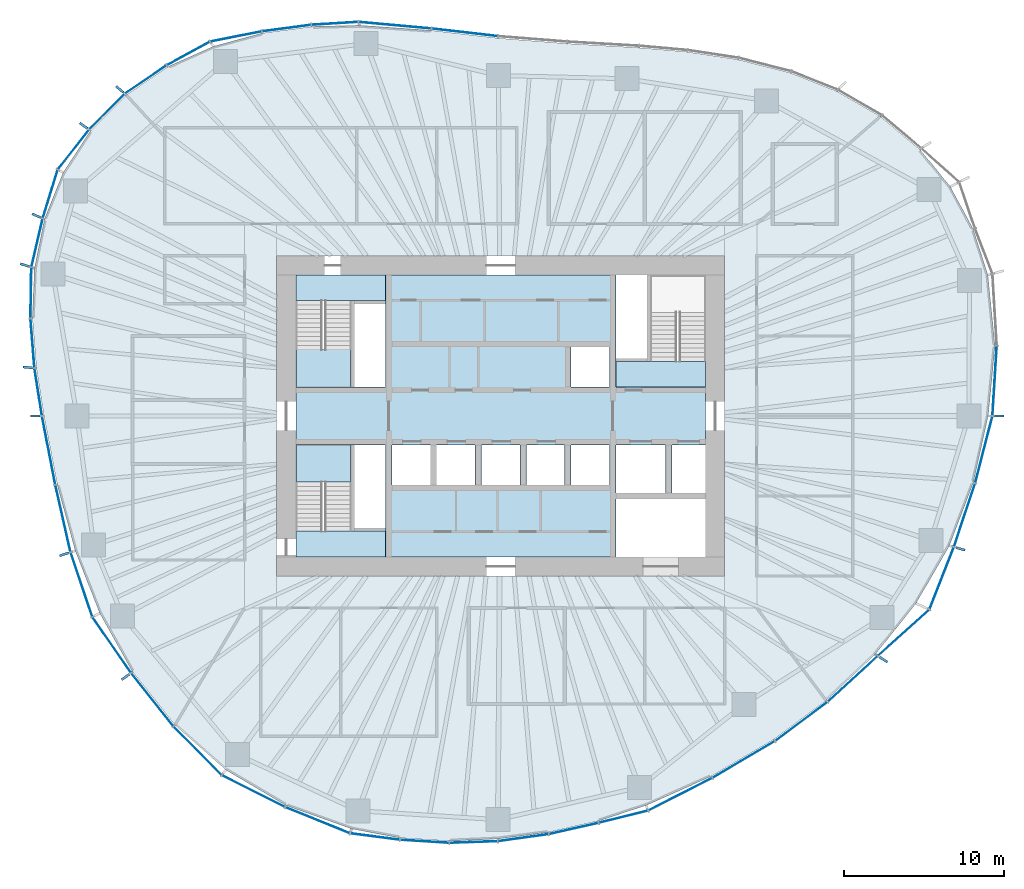
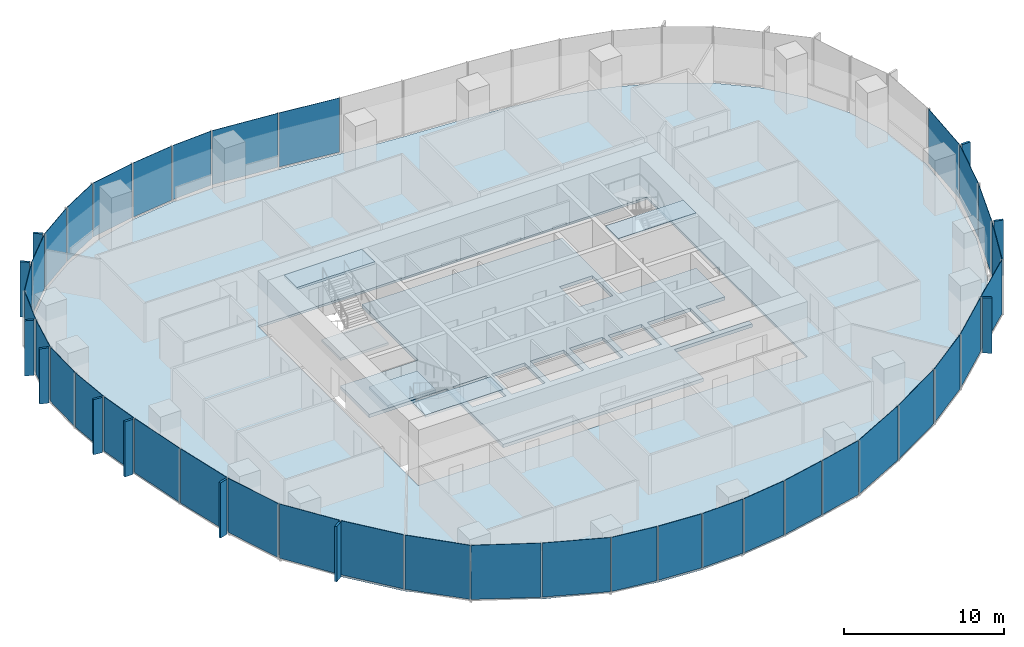
# One storey, part 7 of 18: 48 plates, 7 slabs, 19 elements without a shape of their own.
"""IFC4 building model written with IfcOpenShell, lengths in metres."""

from ifc_helpers import new_model, si_unit, direction, frame, origin, origin_2d, place, context, subcontext, project, spatial, polyline, rectangle, outline, extrude, material, layer, layer_set, type_object, element, aggregate, save


model = new_model("IFC4")

# Units and contexts
model_context = context("Model", 3, precision=1e-05, world=origin(), true_north=direction((0.0, 1.0)))
body_context = subcontext(model_context, "Body", "Model", "MODEL_VIEW")
ifc_project = project(units=[si_unit("LENGTHUNIT", "METRE"), si_unit("AREAUNIT", "SQUARE_METRE"), si_unit("VOLUMEUNIT", "CUBIC_METRE"), si_unit("PLANEANGLEUNIT", "RADIAN"), si_unit("MASSUNIT", "GRAM", prefix="KILO")], contexts=[model_context])

# Site, building, storey
site_placement = place(None, origin())
site = spatial("IfcSite", under=ifc_project, at=site_placement, CompositionType="ELEMENT")
building_placement = place(site_placement, origin())
building = spatial("IfcBuilding", under=site, at=building_placement, Name="Ghaith Harvest Tower", CompositionType="ELEMENT")
storey_placement = place(building_placement, frame((0.0, 0.0, 126.0)))
storey = spatial("IfcBuildingStorey", under=building, at=storey_placement, Name="L26", CompositionType="ELEMENT", Elevation=126.0)

# Curtain wall, plate
ifc_material_1 = material(Name="Black anodised aluminium and fritted glass", Category="aluminium")
curtain_wall_type = type_object("IfcCurtainWallType", Name="CW-L CURTAIN WALL", PredefinedType="NOTDEFINED", material=ifc_material_1)
curtain_wall_1_placement = place(storey_placement, origin())
curtain_wall_1 = element("IfcCurtainWall", 1, at=curtain_wall_1_placement, inside=storey, type_object=curtain_wall_type, Name="Curtain wall CW-L bay 01 L26", PredefinedType="NOTDEFINED")
ifc_material_2 = material(Name="Glass, dark solar-control fritted double glazed unit", Category="glass")
ifc_layer_1 = layer(ifc_material_2, 0.031982421875)
ifc_layer_set_1 = layer_set([ifc_layer_1], Name="CW-L VISION PANEL")
plate_type_1 = type_object("IfcPlateType", Name="CW-L VISION PANEL", PredefinedType="CURTAIN_PANEL", material=ifc_layer_set_1)
plate_1_placement = place(storey_placement, frame((30.86376953125, 2.19482421875, 0.079833984375), z_axis=(0.0, 0.0, 1.0), x_axis=(0.061379619468, 0.99811449359, 0.0)))
plate_1 = element("IfcPlate", 2, at=plate_1_placement, type_object=plate_type_1, Name="CW-L glass unit 1 bay 01 L26", PredefinedType="CURTAIN_PANEL", context=body_context, shape_type="SweptSolid", body=[
    extrude(rectangle(XDim=4.318115234375, YDim=0.031982421875, at=origin_2d()), origin(), (0.0, 0.0, 1.0), 4.1201171875),
])
aggregate(curtain_wall_1, [plate_1])

# Curtain wall, plates
curtain_wall_2_placement = place(storey_placement, origin())
curtain_wall_2 = element("IfcCurtainWall", 3, at=curtain_wall_2_placement, inside=storey, type_object=curtain_wall_type, Name="Curtain wall CW-L bay 06 L26", PredefinedType="NOTDEFINED")
plate_2_placement = place(storey_placement, frame((-2.24267578125, 23.968505859375, 0.079833984375), z_axis=(0.0, 0.0, 1.0), x_axis=(-0.993477024646, 0.114032458099, 0.0)))
plate_2 = element("IfcPlate", 4, at=plate_2_placement, type_object=plate_type_1, Name="CW-L glass unit 1 bay 06 L26", PredefinedType="CURTAIN_PANEL", context=body_context, shape_type="SweptSolid", body=[
    extrude(rectangle(XDim=4.10791015625, YDim=0.031982421875, at=origin_2d()), origin(), (0.0, 0.0, 1.0), 4.1201171875),
])
plate_3_placement = place(storey_placement, frame((-6.607666015625, 24.4140625, 0.079833984375), z_axis=(0.0, 0.0, 1.0), x_axis=(-0.995928776302, 0.090143621701, 0.0)))
plate_3 = element("IfcPlate", 5, at=plate_3_placement, type_object=plate_type_1, Name="CW-L glass unit 2 bay 06 L26", PredefinedType="CURTAIN_PANEL", context=body_context, shape_type="SweptSolid", body=[
    extrude(rectangle(XDim=4.508056640625, YDim=0.031982421875, at=origin_2d()), origin(), (0.0, 0.0, 1.0), 4.1201171875),
])
aggregate(curtain_wall_2, [plate_2, plate_3])

curtain_wall_3_placement = place(storey_placement, origin())
curtain_wall_3 = element("IfcCurtainWall", 6, at=curtain_wall_3_placement, inside=storey, type_object=curtain_wall_type, Name="Curtain wall CW-L bay 07 L26", PredefinedType="NOTDEFINED")
plate_4_placement = place(storey_placement, frame((-10.36669921875, 24.5302734375, 0.079833984375), z_axis=(0.0, 0.0, 1.0), x_axis=(-0.998119199641, -0.061303044853, 0.0)))
plate_4 = element("IfcPlate", 7, at=plate_4_placement, type_object=plate_type_1, Name="CW-L glass unit 1 bay 07 L26", PredefinedType="CURTAIN_PANEL", context=body_context, shape_type="SweptSolid", body=[
    extrude(rectangle(XDim=2.874267578125, YDim=0.031982421875, at=origin_2d()), origin(), (0.0, 0.0, 1.0), 4.1201171875),
])
plate_5_placement = place(storey_placement, frame((-13.382568359375, 24.23486328125, 0.079833984375), z_axis=(0.0, 0.0, 1.0), x_axis=(-0.991285895369, -0.131728029071, 0.0)))
plate_5 = element("IfcPlate", 8, at=plate_5_placement, type_object=plate_type_1, Name="CW-L glass unit 2 bay 07 L26", PredefinedType="CURTAIN_PANEL", context=body_context, shape_type="SweptSolid", body=[
    extrude(rectangle(XDim=3.02978515625, YDim=0.031982421875, at=origin_2d()), origin(), (0.0, 0.0, 1.0), 4.1201171875),
])
plate_6_placement = place(storey_placement, frame((-16.54443359375, 23.7099609375, 0.079833984375), z_axis=(0.0, 0.0, 1.0), x_axis=(-0.981037550101, -0.193817763096, 0.0)))
plate_6 = element("IfcPlate", 9, at=plate_6_placement, type_object=plate_type_1, Name="CW-L glass unit 3 bay 07 L26", PredefinedType="CURTAIN_PANEL", context=body_context, shape_type="SweptSolid", body=[
    extrude(rectangle(XDim=3.22412109375, YDim=0.031982421875, at=origin_2d()), origin(), (0.0, 0.0, 1.0), 4.1201171875),
])
aggregate(curtain_wall_3, [plate_4, plate_5, plate_6])

curtain_wall_4_placement = place(storey_placement, origin())
curtain_wall_4 = element("IfcCurtainWall", 10, at=curtain_wall_4_placement, inside=storey, type_object=curtain_wall_type, Name="Curtain wall CW-L bay 08 L26", PredefinedType="NOTDEFINED")
plate_7_placement = place(storey_placement, frame((-19.520263671875, 22.650634765625, 0.079833984375), z_axis=(0.0, 0.0, 1.0), x_axis=(-0.877940384665, -0.478769966659, 0.0)))
plate_7 = element("IfcPlate", 11, at=plate_7_placement, type_object=plate_type_1, Name="CW-L glass unit 1 bay 08 L26", PredefinedType="CURTAIN_PANEL", context=body_context, shape_type="SweptSolid", body=[
    extrude(rectangle(XDim=3.007080078125, YDim=0.031982421875, at=origin_2d()), origin(), (0.0, 0.0, 1.0), 4.1201171875),
])
plate_8_placement = place(storey_placement, frame((-22.182373046875, 21.025390625, 0.079833984375), z_axis=(0.0, 0.0, 1.0), x_axis=(-0.827674847773, -0.561207935051, 0.0)))
plate_8 = element("IfcPlate", 12, at=plate_8_placement, type_object=plate_type_1, Name="CW-L glass unit 2 bay 08 L26", PredefinedType="CURTAIN_PANEL", context=body_context, shape_type="SweptSolid", body=[
    extrude(rectangle(XDim=3.078369140625, YDim=0.031982421875, at=origin_2d()), origin(), (0.0, 0.0, 1.0), 4.1201171875),
])
plate_9_placement = place(storey_placement, frame((-24.603759765625, 19.01708984375, 0.079833984375), z_axis=(0.0, 0.0, 1.0), x_axis=(-0.704613943896, -0.709590861037, 0.0)))
plate_9 = element("IfcPlate", 13, at=plate_9_placement, type_object=plate_type_1, Name="CW-L glass unit 3 bay 08 L26", PredefinedType="CURTAIN_PANEL", context=body_context, shape_type="SweptSolid", body=[
    extrude(rectangle(XDim=3.0830078125, YDim=0.031982421875, at=origin_2d()), origin(), (0.0, 0.0, 1.0), 4.1201171875),
])
aggregate(curtain_wall_4, [plate_7, plate_8, plate_9])

curtain_wall_5_placement = place(storey_placement, origin())
curtain_wall_5 = element("IfcCurtainWall", 14, at=curtain_wall_5_placement, inside=storey, type_object=curtain_wall_type, Name="Curtain wall CW-L bay 09 L26", PredefinedType="NOTDEFINED")
plate_10_placement = place(storey_placement, frame((-26.69873046875, 16.644775390625, 0.079833984375), z_axis=(0.0, 0.0, 1.0), x_axis=(-0.617140806324, -0.786852734106, 0.0)))
plate_10 = element("IfcPlate", 15, at=plate_10_placement, type_object=plate_type_1, Name="CW-L glass unit 1 bay 09 L26", PredefinedType="CURTAIN_PANEL", context=body_context, shape_type="SweptSolid", body=[
    extrude(rectangle(XDim=3.09765625, YDim=0.031982421875, at=origin_2d()), origin(), (0.0, 0.0, 1.0), 4.1201171875),
])
plate_11_placement = place(storey_placement, frame((-28.14794921875, 13.869140625, 0.079833984375), z_axis=(0.0, 0.0, 1.0), x_axis=(-0.293802674087, -0.955866093498, 0.0)))
plate_11 = element("IfcPlate", 16, at=plate_11_placement, type_object=plate_type_1, Name="CW-L glass unit 2 bay 09 L26", PredefinedType="CURTAIN_PANEL", context=body_context, shape_type="SweptSolid", body=[
    extrude(rectangle(XDim=3.111328125, YDim=0.031982421875, at=origin_2d()), origin(), (0.0, 0.0, 1.0), 4.1201171875),
])
plate_12_placement = place(storey_placement, frame((-28.9716796875, 10.819091796875, 0.079833984375), z_axis=(0.0, 0.0, 1.0), x_axis=(-0.226698962458, -0.973964876379, 0.0)))
plate_12 = element("IfcPlate", 17, at=plate_12_placement, type_object=plate_type_1, Name="CW-L glass unit 3 bay 09 L26", PredefinedType="CURTAIN_PANEL", context=body_context, shape_type="SweptSolid", body=[
    extrude(rectangle(XDim=3.05126953125, YDim=0.031982421875, at=origin_2d()), origin(), (0.0, 0.0, 1.0), 4.1201171875),
])
aggregate(curtain_wall_5, [plate_10, plate_11, plate_12])

curtain_wall_6_placement = place(storey_placement, origin())
curtain_wall_6 = element("IfcCurtainWall", 18, at=curtain_wall_6_placement, inside=storey, type_object=curtain_wall_type, Name="Curtain wall CW-L bay 10 L26", PredefinedType="NOTDEFINED")
plate_13_placement = place(storey_placement, frame((-29.352294921875, 7.695068359375, 0.079833984375), z_axis=(0.0, 0.0, 1.0), x_axis=(-0.016034106433, -0.999871445452, 0.0)))
plate_13 = element("IfcPlate", 19, at=plate_13_placement, type_object=plate_type_1, Name="CW-L glass unit 1 bay 10 L26", PredefinedType="CURTAIN_PANEL", context=body_context, shape_type="SweptSolid", body=[
    extrude(rectangle(XDim=3.118408203125, YDim=0.031982421875, at=origin_2d()), origin(), (0.0, 0.0, 1.0), 4.1201171875),
])
plate_14_placement = place(storey_placement, frame((-29.25439453125, 4.54345703125, 0.079833984375), z_axis=(0.0, 0.0, 1.0), x_axis=(0.079273335663, -0.996852917061, 0.0)))
plate_14 = element("IfcPlate", 20, at=plate_14_placement, type_object=plate_type_1, Name="CW-L glass unit 2 bay 10 L26", PredefinedType="CURTAIN_PANEL", context=body_context, shape_type="SweptSolid", body=[
    extrude(rectangle(XDim=3.035400390625, YDim=0.031982421875, at=origin_2d()), origin(), (0.0, 0.0, 1.0), 4.1201171875),
])
plate_15_placement = place(storey_placement, frame((-28.896240234375, 1.495361328125, 0.079833984375), z_axis=(0.0, 0.0, 1.0), x_axis=(0.155172175389, -0.987887440949, 0.0)))
plate_15 = element("IfcPlate", 21, at=plate_15_placement, type_object=plate_type_1, Name="CW-L glass unit 3 bay 10 L26", PredefinedType="CURTAIN_PANEL", context=body_context, shape_type="SweptSolid", body=[
    extrude(rectangle(XDim=2.947265625, YDim=0.031982421875, at=origin_2d()), origin(), (0.0, 0.0, 1.0), 4.1201171875),
])
aggregate(curtain_wall_6, [plate_13, plate_14, plate_15])

curtain_wall_7_placement = place(storey_placement, origin())
curtain_wall_7 = element("IfcCurtainWall", 22, at=curtain_wall_7_placement, inside=storey, type_object=curtain_wall_type, Name="Curtain wall CW-L bay 11 L26", PredefinedType="NOTDEFINED")
plate_16_placement = place(storey_placement, frame((-28.24462890625, -2.152099609375, 0.079833984375), z_axis=(0.0, 0.0, 1.0), x_axis=(0.190044913274, -0.981775397399, 0.0)))
plate_16 = element("IfcPlate", 23, at=plate_16_placement, type_object=plate_type_1, Name="CW-L glass unit 1 bay 11 L26", PredefinedType="CURTAIN_PANEL", context=body_context, shape_type="SweptSolid", body=[
    extrude(rectangle(XDim=4.303955078125, YDim=0.031982421875, at=origin_2d()), origin(), (0.0, 0.0, 1.0), 4.1201171875),
])
plate_17_placement = place(storey_placement, frame((-27.351806640625, -6.41064453125, 0.079833984375), z_axis=(0.0, 0.0, 1.0), x_axis=(0.220483469245, -0.975390711351, 0.0)))
plate_17 = element("IfcPlate", 24, at=plate_17_placement, type_object=plate_type_1, Name="CW-L glass unit 2 bay 11 L26", PredefinedType="CURTAIN_PANEL", context=body_context, shape_type="SweptSolid", body=[
    extrude(rectangle(XDim=4.239501953125, YDim=0.031982421875, at=origin_2d()), origin(), (0.0, 0.0, 1.0), 4.1201171875),
])
aggregate(curtain_wall_7, [plate_16, plate_17])

curtain_wall_8_placement = place(storey_placement, origin())
curtain_wall_8 = element("IfcCurtainWall", 25, at=curtain_wall_8_placement, inside=storey, type_object=curtain_wall_type, Name="Curtain wall CW-L bay 12 L26", PredefinedType="NOTDEFINED")
plate_18_placement = place(storey_placement, frame((-26.194580078125, -10.537841796875, 0.079833984375), z_axis=(0.0, 0.0, 1.0), x_axis=(0.319477383729, -0.947593901039, 0.0)))
plate_18 = element("IfcPlate", 26, at=plate_18_placement, type_object=plate_type_1, Name="CW-L glass unit 1 bay 12 L26", PredefinedType="CURTAIN_PANEL", context=body_context, shape_type="SweptSolid", body=[
    extrude(rectangle(XDim=4.184326171875, YDim=0.031982421875, at=origin_2d()), origin(), (0.0, 0.0, 1.0), 4.1201171875),
])
plate_19_placement = place(storey_placement, frame((-24.3017578125, -14.312255859375, 0.079833984375), z_axis=(0.0, 0.0, 1.0), x_axis=(0.568347699633, -0.822788485774, 0.0)))
plate_19 = element("IfcPlate", 27, at=plate_19_placement, type_object=plate_type_1, Name="CW-L glass unit 2 bay 12 L26", PredefinedType="CURTAIN_PANEL", context=body_context, shape_type="SweptSolid", body=[
    extrude(rectangle(XDim=4.18359375, YDim=0.031982421875, at=origin_2d()), origin(), (0.0, 0.0, 1.0), 4.1201171875),
])
aggregate(curtain_wall_8, [plate_18, plate_19])

curtain_wall_9_placement = place(storey_placement, origin())
curtain_wall_9 = element("IfcCurtainWall", 28, at=curtain_wall_9_placement, inside=storey, type_object=curtain_wall_type, Name="Curtain wall CW-L bay 13 L26", PredefinedType="NOTDEFINED")
plate_20_placement = place(storey_placement, frame((-21.765625, -17.7314453125, 0.079833984375), z_axis=(0.0, 0.0, 1.0), x_axis=(0.622507360482, -0.782613944513, 0.0)))
plate_20 = element("IfcPlate", 29, at=plate_20_placement, type_object=plate_type_1, Name="CW-L glass unit 1 bay 13 L26", PredefinedType="CURTAIN_PANEL", context=body_context, shape_type="SweptSolid", body=[
    extrude(rectangle(XDim=4.175537109375, YDim=0.031982421875, at=origin_2d()), origin(), (0.0, 0.0, 1.0), 4.1201171875),
])
plate_21_placement = place(storey_placement, frame((-18.935791015625, -20.920166015625, 0.079833984375), z_axis=(0.0, 0.0, 1.0), x_axis=(0.702843151286, -0.711344856375, 0.0)))
plate_21 = element("IfcPlate", 30, at=plate_21_placement, type_object=plate_type_1, Name="CW-L glass unit 2 bay 13 L26", PredefinedType="CURTAIN_PANEL", context=body_context, shape_type="SweptSolid", body=[
    extrude(rectangle(XDim=4.203369140625, YDim=0.031982421875, at=origin_2d()), origin(), (0.0, 0.0, 1.0), 4.1201171875),
])
aggregate(curtain_wall_9, [plate_20, plate_21])

curtain_wall_10_placement = place(storey_placement, origin())
curtain_wall_10 = element("IfcCurtainWall", 31, at=curtain_wall_10_placement, inside=storey, type_object=curtain_wall_type, Name="Curtain wall CW-L bay 14 L26", PredefinedType="NOTDEFINED")
plate_22_placement = place(storey_placement, frame((-15.44677734375, -23.443115234375, 0.079833984375), z_axis=(0.0, 0.0, 1.0), x_axis=(0.893062297869, -0.449933030712, 0.0)))
plate_22 = element("IfcPlate", 32, at=plate_22_placement, type_object=plate_type_1, Name="CW-L glass unit 1 bay 14 L26", PredefinedType="CURTAIN_PANEL", context=body_context, shape_type="SweptSolid", body=[
    extrude(rectangle(XDim=4.362548828125, YDim=0.031982421875, at=origin_2d()), origin(), (0.0, 0.0, 1.0), 4.1201171875),
])
plate_23_placement = place(storey_placement, frame((-11.441162109375, -25.260498046875, 0.079833984375), z_axis=(0.0, 0.0, 1.0), x_axis=(0.927002522537, -0.375055093567, 0.0)))
plate_23 = element("IfcPlate", 33, at=plate_23_placement, type_object=plate_type_1, Name="CW-L glass unit 2 bay 14 L26", PredefinedType="CURTAIN_PANEL", context=body_context, shape_type="SweptSolid", body=[
    extrude(rectangle(XDim=4.282470703125, YDim=0.031982421875, at=origin_2d()), origin(), (0.0, 0.0, 1.0), 4.1201171875),
])
aggregate(curtain_wall_10, [plate_22, plate_23])

curtain_wall_11_placement = place(storey_placement, origin())
curtain_wall_11 = element("IfcCurtainWall", 34, at=curtain_wall_11_placement, inside=storey, type_object=curtain_wall_type, Name="Curtain wall CW-L bay 15 L26", PredefinedType="NOTDEFINED")
plate_24_placement = place(storey_placement, frame((-7.856689453125, -26.281005859375, 0.079833984375), z_axis=(0.0, 0.0, 1.0), x_axis=(0.99172348392, -0.128392100386, 0.0)))
plate_24 = element("IfcPlate", 35, at=plate_24_placement, type_object=plate_type_1, Name="CW-L glass unit 1 bay 15 L26", PredefinedType="CURTAIN_PANEL", context=body_context, shape_type="SweptSolid", body=[
    extrude(rectangle(XDim=3.07080078125, YDim=0.031982421875, at=origin_2d()), origin(), (0.0, 0.0, 1.0), 4.1201171875),
])
plate_25_placement = place(storey_placement, frame((-4.7568359375, -26.57958984375, 0.079833984375), z_axis=(0.0, 0.0, 1.0), x_axis=(0.998038280843, -0.062606628824, 0.0)))
plate_25 = element("IfcPlate", 36, at=plate_25_placement, type_object=plate_type_1, Name="CW-L glass unit 2 bay 15 L26", PredefinedType="CURTAIN_PANEL", context=body_context, shape_type="SweptSolid", body=[
    extrude(rectangle(XDim=3.001220703125, YDim=0.031982421875, at=origin_2d()), origin(), (0.0, 0.0, 1.0), 4.1201171875),
])
plate_26_placement = place(storey_placement, frame((-1.700439453125, -26.624755859375, 0.079833984375), z_axis=(0.0, 0.0, 1.0), x_axis=(0.999431515426, 0.033714180603, 0.0)))
plate_26 = element("IfcPlate", 37, at=plate_26_placement, type_object=plate_type_1, Name="CW-L glass unit 3 bay 15 L26", PredefinedType="CURTAIN_PANEL", context=body_context, shape_type="SweptSolid", body=[
    extrude(rectangle(XDim=2.958984375, YDim=0.031982421875, at=origin_2d()), origin(), (0.0, 0.0, 1.0), 4.1201171875),
])
aggregate(curtain_wall_11, [plate_24, plate_25, plate_26])

curtain_wall_12_placement = place(storey_placement, origin())
curtain_wall_12 = element("IfcCurtainWall", 38, at=curtain_wall_12_placement, inside=storey, type_object=curtain_wall_type, Name="Curtain wall CW-L bay 16 L26", PredefinedType="NOTDEFINED")
plate_27_placement = place(storey_placement, frame((1.4140625, -26.3515625, 0.079833984375), z_axis=(0.0, 0.0, 1.0), x_axis=(0.990448098003, 0.137886058621, 0.0)))
plate_27 = element("IfcPlate", 39, at=plate_27_placement, type_object=plate_type_1, Name="CW-L glass unit 1 bay 16 L26", PredefinedType="CURTAIN_PANEL", context=body_context, shape_type="SweptSolid", body=[
    extrude(rectangle(XDim=3.142578125, YDim=0.031982421875, at=origin_2d()), origin(), (0.0, 0.0, 1.0), 4.1201171875),
])
plate_28_placement = place(storey_placement, frame((4.565185546875, -25.77734375, 0.079833984375), z_axis=(0.0, 0.0, 1.0), x_axis=(0.975341754172, 0.220699937852, 0.0)))
plate_28 = element("IfcPlate", 40, at=plate_28_placement, type_object=plate_type_1, Name="CW-L glass unit 2 bay 16 L26", PredefinedType="CURTAIN_PANEL", context=body_context, shape_type="SweptSolid", body=[
    extrude(rectangle(XDim=3.10888671875, YDim=0.031982421875, at=origin_2d()), origin(), (0.0, 0.0, 1.0), 4.1201171875),
])
plate_29_placement = place(storey_placement, frame((7.66845703125, -25.0400390625, 0.079833984375), z_axis=(0.0, 0.0, 1.0), x_axis=(0.970384283801, 0.241566433413, 0.0)))
plate_29 = element("IfcPlate", 41, at=plate_29_placement, type_object=plate_type_1, Name="CW-L glass unit 3 bay 16 L26", PredefinedType="CURTAIN_PANEL", context=body_context, shape_type="SweptSolid", body=[
    extrude(rectangle(XDim=3.111083984375, YDim=0.031982421875, at=origin_2d()), origin(), (0.0, 0.0, 1.0), 4.1201171875),
])
aggregate(curtain_wall_12, [plate_27, plate_28, plate_29])

curtain_wall_13_placement = place(storey_placement, origin())
curtain_wall_13 = element("IfcCurtainWall", 42, at=curtain_wall_13_placement, inside=storey, type_object=curtain_wall_type, Name="Curtain wall CW-L bay 17 L26", PredefinedType="NOTDEFINED")
plate_30_placement = place(storey_placement, frame((11.220703125, -23.63427734375, 0.079833984375), z_axis=(0.0, 0.0, 1.0), x_axis=(0.891126766056, 0.453754434489, 0.0)))
plate_30 = element("IfcPlate", 43, at=plate_30_placement, type_object=plate_type_1, Name="CW-L glass unit 1 bay 17 L26", PredefinedType="CURTAIN_PANEL", context=body_context, shape_type="SweptSolid", body=[
    extrude(rectangle(XDim=4.417236328125, YDim=0.031982421875, at=origin_2d()), origin(), (0.0, 0.0, 1.0), 4.1201171875),
])
plate_31_placement = place(storey_placement, frame((15.17822265625, -21.46484375, 0.079833984375), z_axis=(0.0, 0.0, 1.0), x_axis=(0.861979497965, 0.506943137924, 0.0)))
plate_31 = element("IfcPlate", 44, at=plate_31_placement, type_object=plate_type_1, Name="CW-L glass unit 2 bay 17 L26", PredefinedType="CURTAIN_PANEL", context=body_context, shape_type="SweptSolid", body=[
    extrude(rectangle(XDim=4.453125, YDim=0.031982421875, at=origin_2d()), origin(), (0.0, 0.0, 1.0), 4.1201171875),
])
aggregate(curtain_wall_13, [plate_30, plate_31])

curtain_wall_14_placement = place(storey_placement, origin())
curtain_wall_14 = element("IfcCurtainWall", 45, at=curtain_wall_14_placement, inside=storey, type_object=curtain_wall_type, Name="Curtain wall CW-L bay 18 L26", PredefinedType="NOTDEFINED")
plate_32_placement = place(storey_placement, frame((18.78076171875, -19.08984375, 0.079833984375), z_axis=(0.0, 0.0, 1.0), x_axis=(0.802462370117, 0.596702727115, 0.0)))
plate_32 = element("IfcPlate", 46, at=plate_32_placement, type_object=plate_type_1, Name="CW-L glass unit 1 bay 18 L26", PredefinedType="CURTAIN_PANEL", context=body_context, shape_type="SweptSolid", body=[
    extrude(rectangle(XDim=4.029541015625, YDim=0.031982421875, at=origin_2d()), origin(), (0.0, 0.0, 1.0), 4.1201171875),
])
plate_33_placement = place(storey_placement, frame((21.9951171875, -16.428955078125, 0.079833984375), z_axis=(0.0, 0.0, 1.0), x_axis=(0.737201663563, 0.675672781189, 0.0)))
plate_33 = element("IfcPlate", 47, at=plate_33_placement, type_object=plate_type_1, Name="CW-L glass unit 2 bay 18 L26", PredefinedType="CURTAIN_PANEL", context=body_context, shape_type="SweptSolid", body=[
    extrude(rectangle(XDim=4.1669921875, YDim=0.031982421875, at=origin_2d()), origin(), (0.0, 0.0, 1.0), 4.1201171875),
])
aggregate(curtain_wall_14, [plate_32, plate_33])

curtain_wall_15_placement = place(storey_placement, origin())
curtain_wall_15 = element("IfcCurtainWall", 48, at=curtain_wall_15_placement, inside=storey, type_object=curtain_wall_type, Name="Curtain wall CW-L bay 19 L26", PredefinedType="NOTDEFINED")
plate_34_placement = place(storey_placement, frame((25.17333984375, -13.54345703125, 0.079833984375), z_axis=(0.0, 0.0, 1.0), x_axis=(0.743493028761, 0.668743684968, 0.0)))
plate_34 = element("IfcPlate", 49, at=plate_34_placement, type_object=plate_type_1, Name="CW-L glass unit 1 bay 19 L26", PredefinedType="CURTAIN_PANEL", context=body_context, shape_type="SweptSolid", body=[
    extrude(rectangle(XDim=4.2587890625, YDim=0.031982421875, at=origin_2d()), origin(), (0.0, 0.0, 1.0), 4.1201171875),
])
plate_35_placement = place(storey_placement, frame((27.552978515625, -10.138916015625, 0.079833984375), z_axis=(0.0, 0.0, 1.0), x_axis=(0.365226458984, 0.930918704108, 0.0)))
plate_35 = element("IfcPlate", 50, at=plate_35_placement, type_object=plate_type_1, Name="CW-L glass unit 2 bay 19 L26", PredefinedType="CURTAIN_PANEL", context=body_context, shape_type="SweptSolid", body=[
    extrude(rectangle(XDim=4.11767578125, YDim=0.031982421875, at=origin_2d()), origin(), (0.0, 0.0, 1.0), 4.1201171875),
])
aggregate(curtain_wall_15, [plate_34, plate_35])

curtain_wall_16_placement = place(storey_placement, origin())
curtain_wall_16 = element("IfcCurtainWall", 51, at=curtain_wall_16_placement, inside=storey, type_object=curtain_wall_type, Name="Curtain wall CW-L bay 20 L26", PredefinedType="NOTDEFINED")
plate_36_placement = place(storey_placement, frame((28.982666015625, -6.191650390625, 0.079833984375), z_axis=(0.0, 0.0, 1.0), x_axis=(0.315708038084, 0.948856382541, 0.0)))
plate_36 = element("IfcPlate", 52, at=plate_36_placement, type_object=plate_type_1, Name="CW-L glass unit 1 bay 20 L26", PredefinedType="CURTAIN_PANEL", context=body_context, shape_type="SweptSolid", body=[
    extrude(rectangle(XDim=4.12158203125, YDim=0.031982421875, at=origin_2d()), origin(), (0.0, 0.0, 1.0), 4.1201171875),
])
plate_37_placement = place(storey_placement, frame((30.187255859375, -2.09912109375, 0.079833984375), z_axis=(0.0, 0.0, 1.0), x_axis=(0.24974411022, 0.968311870944, 0.0)))
plate_37 = element("IfcPlate", 53, at=plate_37_placement, type_object=plate_type_1, Name="CW-L glass unit 2 bay 20 L26", PredefinedType="CURTAIN_PANEL", context=body_context, shape_type="SweptSolid", body=[
    extrude(rectangle(XDim=4.255615234375, YDim=0.031982421875, at=origin_2d()), origin(), (0.0, 0.0, 1.0), 4.1201171875),
])
aggregate(curtain_wall_16, [plate_36, plate_37])

# Slabs
ifc_material_3 = material(Name="Concrete C40/50", Category="concrete")
ifc_layer_2 = layer(ifc_material_3, 0.169921875)
ifc_layer_set_2 = layer_set([ifc_layer_2], Name="FLOOR SLAB 170")
slab_type_1 = type_object("IfcSlabType", Name="FLOOR SLAB 170", PredefinedType="FLOOR", material=ifc_layer_set_2)
slab_1_placement = place(storey_placement, frame((0.0, 0.0, -0.169921875)))
element("IfcSlab", 54, at=slab_1_placement, inside=storey, type_object=slab_type_1, Name="Floor slab L26", PredefinedType="FLOOR", context=body_context, shape_type="SweptSolid", body=[
    extrude(outline(polyline([(30.458740234375, 0.0), (30.8798828125, 4.373046875), (30.439208984375, 8.797607421875), (29.52294921875, 11.671875), (28.0888671875, 14.32568359375), (26.179443359375, 16.660888671875), (23.7275390625, 18.718017578125), (20.97998046875, 20.3056640625), (18.0849609375, 21.4462890625), (14.79833984375, 22.27978515625), (11.617919921875, 22.757080078125), (8.604736328125, 23.017333984375), (4.125732421875, 23.272705078125), (-0.16162109375, 23.609619140625), (-4.302001953125, 24.089111328125), (-8.814208984375, 24.404541015625), (-11.788818359375, 24.331787109375), (-14.860595703125, 23.927978515625), (-17.938232421875, 23.097412109375), (-20.79248046875, 21.82470703125), (-23.398193359375, 20.06103515625), (-25.61962890625, 17.826416015625), (-27.33837890625, 15.204833984375), (-28.506591796875, 12.29638671875), (-29.12646484375, 9.230712890625), (-29.260498046875, 6.07177734375), (-29.01171875, 2.978271484375), (-28.541259765625, 0.0), (-27.70947265625, -4.285888671875), (-26.580078125, -8.423583984375), (-25.046875, -12.32861328125), (-22.99169921875, -15.997802734375), (-20.35400390625, -19.31396484375), (-17.1728515625, -22.11181640625), (-13.4052734375, -24.33740234375), (-9.317138671875, -25.79638671875), (-6.2666015625, -26.366455078125), (-3.204833984375, -26.556884765625), (-0.180908203125, -26.423583984375), (2.99609375, -26.010009765625), (6.09228515625, -25.308837890625), (9.09423828125, -24.326904296875), (13.163818359375, -22.510498046875), (17.054443359375, -20.22412109375), (20.33935546875, -17.784912109375), (23.400390625, -14.89208984375), (25.94775390625, -11.714111328125), (28.03125, -8.1015625), (29.527099609375, -4.181396484375), (30.458740234375, 0.0)]), holes=[polyline([(-14.0, -10.0), (14.0, -10.0), (14.0, 10.0), (-14.0, 10.0), (-14.0, -10.0)])]), origin(), (0.0, 0.0, 1.0), 0.169921875),
])
ifc_material_4 = material(Name="Concrete C40/50", Category="concrete")
ifc_layer_3 = layer(ifc_material_4, 0.25)
ifc_layer_set_3 = layer_set([ifc_layer_3], Name="FLOOR SLAB 250")
slab_type_2 = type_object("IfcSlabType", Name="FLOOR SLAB 250", PredefinedType="FLOOR", material=ifc_layer_set_3)
slab_2_placement = place(storey_placement, frame((0.0, 0.0, -0.25)))
element("IfcSlab", 55, at=slab_2_placement, inside=storey, type_object=slab_type_2, Name="Core slab L26", PredefinedType="FLOOR", context=body_context, shape_type="SweptSolid", body=[
    extrude(outline(polyline([(-12.800048828125, 1.800048828125), (-7.199951171875, 1.800048828125), (-7.199951171875, 8.800048828125), (7.199951171875, 8.800048828125), (7.199951171875, 1.800048828125), (12.800048828125, 1.800048828125), (12.800048828125, -1.800048828125), (10.699951171875, -1.800048828125), (10.699951171875, -4.800048828125), (12.800048828125, -4.800048828125), (12.800048828125, -5.199951171875), (7.199951171875, -5.199951171875), (7.199951171875, -8.800048828125), (-7.199951171875, -8.800048828125), (-7.199951171875, -1.800048828125), (-12.800048828125, -1.800048828125), (-12.800048828125, 1.800048828125)]), holes=[polyline([(-4.39990234375, -4.300048828125), (-4.39990234375, -1.800048828125), (-6.800048828125, -1.800048828125), (-6.800048828125, -4.300048828125), (-4.39990234375, -4.300048828125)]), polyline([(-1.60009765625, -4.300048828125), (-1.60009765625, -1.800048828125), (-4.0, -1.800048828125), (-4.0, -4.300048828125), (-1.60009765625, -4.300048828125)]), polyline([(1.199951171875, -1.800048828125), (-1.199951171875, -1.800048828125), (-1.199951171875, -4.300048828125), (1.199951171875, -4.300048828125), (1.199951171875, -1.800048828125)]), polyline([(4.0, -4.300048828125), (4.0, -1.800048828125), (1.60009765625, -1.800048828125), (1.60009765625, -4.300048828125), (4.0, -4.300048828125)]), polyline([(10.300048828125, -4.800048828125), (10.300048828125, -1.800048828125), (7.199951171875, -1.800048828125), (7.199951171875, -4.800048828125), (10.300048828125, -4.800048828125)]), polyline([(6.800048828125, -1.800048828125), (4.39990234375, -1.800048828125), (4.39990234375, -4.300048828125), (6.800048828125, -4.300048828125), (6.800048828125, -1.800048828125)]), polyline([(6.800048828125, 1.800048828125), (6.800048828125, 4.300048828125), (4.39990234375, 4.300048828125), (4.39990234375, 1.800048828125), (6.800048828125, 1.800048828125)])]), origin(), (0.0, 0.0, 1.0), 0.25),
])

# Stair, slabs
ifc_material_5 = material(Name="Concrete C40/50, precast", Category="concrete")
stair_type = type_object("IfcStairType", Name="CORE STAIR 24R", PredefinedType="HALF_TURN_STAIR", material=ifc_material_5)
stair_1_placement = place(storey_placement, origin())
stair_1 = element("IfcStair", 56, at=stair_1_placement, inside=storey, type_object=stair_type, Name="Stair ST1 L26", PredefinedType="HALF_TURN_STAIR")
ifc_material_6 = material(Name="Concrete C40/50, precast", Category="concrete")
ifc_layer_4 = layer(ifc_material_6, 0.179931640625)
ifc_layer_set_4 = layer_set([ifc_layer_4], Name="STAIR LANDING 180")
slab_type_3 = type_object("IfcSlabType", Name="STAIR LANDING 180", PredefinedType="LANDING", material=ifc_layer_set_4)
slab_3_placement = place(storey_placement, frame((0.0, 0.0, 1.919921875)))
slab_3 = element("IfcSlab", 57, at=slab_3_placement, type_object=slab_type_3, Name="ST1 landing 1", PredefinedType="LANDING", context=body_context, shape_type="SweptSolid", body=[
    extrude(outline(polyline([(-12.800048828125, 4.139892578125), (-12.800048828125, 1.77490234375), (-9.35009765625, 1.77490234375), (-9.35009765625, 4.139892578125), (-12.800048828125, 4.139892578125)])), origin(), (0.0, 0.0, 1.0), 0.18017578125),
])
slab_4_placement = place(storey_placement, frame((0.0, 0.0, 4.02001953125)))
slab_4 = element("IfcSlab", 58, at=slab_4_placement, type_object=slab_type_3, Name="ST1 landing 2", PredefinedType="LANDING", context=body_context, shape_type="SweptSolid", body=[
    extrude(outline(polyline([(-12.800048828125, 8.800048828125), (-12.800048828125, 7.199951171875), (-7.199951171875, 7.199951171875), (-7.199951171875, 8.800048828125), (-12.800048828125, 8.800048828125)])), origin(), (0.0, 0.0, 1.0), 0.179931640625),
])
aggregate(stair_1, [slab_3, slab_4])

stair_2_placement = place(storey_placement, origin())
stair_2 = element("IfcStair", 59, at=stair_2_placement, inside=storey, type_object=stair_type, Name="Stair ST3 L26", PredefinedType="HALF_TURN_STAIR")
slab_5_placement = place(storey_placement, frame((0.0, 0.0, 1.919921875)))
slab_5 = element("IfcSlab", 60, at=slab_5_placement, type_object=slab_type_3, Name="ST3 landing 1", PredefinedType="LANDING", context=body_context, shape_type="SweptSolid", body=[
    extrude(outline(polyline([(-12.800048828125, -4.139892578125), (-12.800048828125, -1.77490234375), (-9.35009765625, -1.77490234375), (-9.35009765625, -4.139892578125), (-12.800048828125, -4.139892578125)])), origin(), (0.0, 0.0, 1.0), 0.18017578125),
])
slab_6_placement = place(storey_placement, frame((0.0, 0.0, 4.02001953125)))
slab_6 = element("IfcSlab", 61, at=slab_6_placement, type_object=slab_type_3, Name="ST3 landing 2", PredefinedType="LANDING", context=body_context, shape_type="SweptSolid", body=[
    extrude(outline(polyline([(-12.800048828125, -8.800048828125), (-12.800048828125, -7.199951171875), (-7.199951171875, -7.199951171875), (-7.199951171875, -8.800048828125), (-12.800048828125, -8.800048828125)])), origin(), (0.0, 0.0, 1.0), 0.179931640625),
])
aggregate(stair_2, [slab_5, slab_6])

# Stair, slab
stair_3_placement = place(storey_placement, origin())
stair_3 = element("IfcStair", 62, at=stair_3_placement, inside=storey, type_object=stair_type, Name="Stair ST2 L26", PredefinedType="HALF_TURN_STAIR")
slab_7_placement = place(storey_placement, frame((0.0, 0.0, 4.02001953125)))
slab_7 = element("IfcSlab", 63, at=slab_7_placement, type_object=slab_type_3, Name="ST2 landing 2", PredefinedType="LANDING", context=body_context, shape_type="SweptSolid", body=[
    extrude(outline(polyline([(12.800048828125, 1.800048828125), (12.800048828125, 3.39990234375), (7.199951171875, 3.39990234375), (7.199951171875, 1.800048828125), (12.800048828125, 1.800048828125)])), origin(), (0.0, 0.0, 1.0), 0.179931640625),
])
aggregate(stair_3, [slab_7])

# Plates
ifc_material_7 = material(Name="Glassfibre-reinforced concrete", Category="concrete")
ifc_layer_5 = layer(ifc_material_7, 0.14990234375)
ifc_layer_set_5 = layer_set([ifc_layer_5], Name="SUN-BREAKER FIN 600x150")
plate_type_2 = type_object("IfcPlateType", Name="SUN-BREAKER FIN 600x150", PredefinedType="USERDEFINED", material=ifc_layer_set_5)
for number, where, z_axis, x_axis, name in (
    (64, (31.148681640625, 0.0, 0.0), (0.0, 0.0, 1.0), (1.0, 0.0, 0.0), "Sun-breaker fin CW-L 1 bay 01 L26"),
    (65, (-23.808349609375, 20.41259765625, 0.0), (0.0, 0.0, 1.0), (-0.759169742643, 0.650892696115, 0.0), "Sun-breaker fin CW-L 3 bay 08 L26"),
    (66, (-26.06298828125, 18.134765625, 0.0), (0.0, 0.0, 1.0), (-0.820845486523, 0.571150319316, 0.0), "Sun-breaker fin CW-L 1 bay 09 L26"),
    (67, (-29.00244140625, 12.51025390625, 0.0), (0.0, 0.0, 1.0), (-0.918217993215, 0.396075392995, 0.0), "Sun-breaker fin CW-L 3 bay 09 L26"),
    (68, (-29.72705078125, 9.4208984375, 0.0), (0.0, 0.0, 1.0), (-0.953273219358, 0.302109531884, 0.0), "Sun-breaker fin CW-L 1 bay 10 L26"),
    (69, (-29.548828125, 3.033447265625, 0.0), (0.0, 0.0, 1.0), (-0.994771752973, 0.102123256344, 0.0), "Sun-breaker fin CW-L 3 bay 10 L26"),
    (70, (-29.081298828125, 0.0, 0.0), (0.0, 0.0, 1.0), (-1.0, -4.19e-10, 0.0), "Sun-breaker fin CW-L 1 bay 11 L26"),
    (71, (-27.276123046875, -8.644287109375, 0.0), (0.0, 0.0, 1.0), (-0.953273219416, -0.302109531701, 0.0), "Sun-breaker fin CW-L 1 bay 12 L26"),
    (72, (-23.434814453125, -16.30615234375, 0.0), (0.0, 0.0, 1.0), (-0.820845486622, -0.571150319173, 0.0), "Sun-breaker fin CW-L 1 bay 13 L26"),
    (73, (23.914794921875, -15.2197265625, 0.0), (0.0, 0.0, 1.0), (0.84364397137, -0.536903016913, 0.0), "Sun-breaker fin CW-L 1 bay 19 L26"),
    (74, (28.722900390625, -8.301513671875, 0.0), (0.0, 0.0, 1.0), (0.960680349932, -0.277656739976, 0.0), "Sun-breaker fin CW-L 1 bay 20 L26"),
):
    element("IfcPlate", number, at=place(storey_placement, frame(where, z_axis=z_axis, x_axis=x_axis)), inside=storey, type_object=plate_type_2, Name=name, ObjectType="SUN-BREAKER FIN", PredefinedType="USERDEFINED", context=body_context, shape_type="SweptSolid", body=[
        extrude(rectangle(XDim=0.60009765625, YDim=0.14990234375, at=origin_2d()), origin(), (0.0, 0.0, 1.0), 4.199951171875),
    ])

save(model, "model.ifc")
